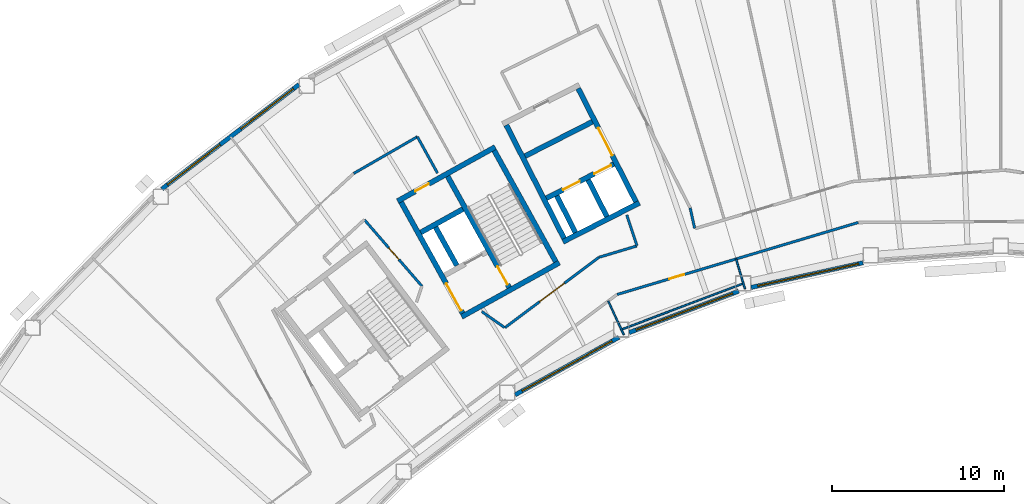
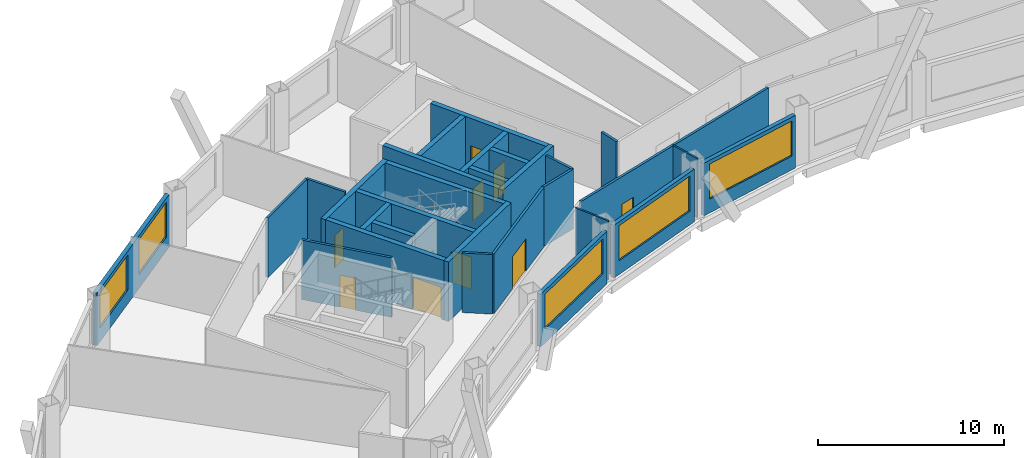
# One storey, part 6 of 13: 30 walls, 9 doors, 5 windows, 14 openings.
"""IFC4 building model written with IfcOpenShell, lengths in metres."""

from ifc_helpers import new_model, si_unit, direction, frame, frame_2d, origin, place, context, subcontext, project, spatial, rectangle, extrude, material, layer, layer_set, type_object, element, fill, save


model = new_model("IFC4")

# Units and contexts
model_context = context("Model", 3, precision=1e-05, world=origin(), true_north=direction((0.0, 1.0)))
body_context = subcontext(model_context, "Body", "Model", "MODEL_VIEW")
ifc_project = project(units=[si_unit("LENGTHUNIT", "METRE"), si_unit("AREAUNIT", "SQUARE_METRE"), si_unit("VOLUMEUNIT", "CUBIC_METRE"), si_unit("PLANEANGLEUNIT", "RADIAN"), si_unit("MASSUNIT", "GRAM", prefix="KILO")], contexts=[model_context])

# Site, building, storey
site_placement = place(None, origin())
site = spatial("IfcSite", under=ifc_project, at=site_placement, CompositionType="ELEMENT")
building_placement = place(site_placement, origin())
building = spatial("IfcBuilding", under=site, at=building_placement, Name="Tuul Gate Civic Tower", CompositionType="ELEMENT")
storey_placement = place(building_placement, frame((0.0, 0.0, 180.5)))
storey = spatial("IfcBuildingStorey", under=building, at=storey_placement, Name="Level 41", CompositionType="ELEMENT", Elevation=180.5)

# Walls
ifc_material_1 = material(Name="Concrete C50/60", Category="concrete")
ifc_layer_1 = layer(ifc_material_1, 0.300048828125)
ifc_layer_set_1 = layer_set([ifc_layer_1], Name="Concrete C50/60")
wall_type_1 = type_object("IfcWallType", Name="Core wall C50/60", PredefinedType="SHEAR", material=ifc_layer_set_1)
wall_1_placement = place(storey_placement, frame((-24.711669921875, -8.7158203125, 0.0), z_axis=(0.0, 0.0, 1.0), x_axis=(-0.874629909008, -0.484791215132, 0.0)))
element("IfcWall", 1, at=wall_1_placement, inside=storey, type_object=wall_type_1, Name="Core wall", PredefinedType="SHEAR", context=body_context, shape_type="SweptSolid", body=[
    extrude(rectangle(XDim=6.5, YDim=0.300048828125, at=frame_2d((3.25, 0.0))), origin(), (0.0, 0.0, 1.0), 3.89990234375),
])
wall_2_placement = place(storey_placement, frame((-30.327392578125, -5.59716796875, 0.0), z_axis=(0.0, 0.0, 1.0), x_axis=(-0.874629840737, -0.484791338301, 0.0)))
element("IfcWall", 2, at=wall_2_placement, inside=storey, type_object=wall_type_1, Name="Core wall", PredefinedType="SHEAR", context=body_context, shape_type="SweptSolid", body=[
    extrude(rectangle(XDim=2.800048828125, YDim=0.300048828125, at=frame_2d((1.39990234375, 0.0))), origin(), (0.0, 0.0, 1.0), 3.89990234375),
])

# Wall, opening, door
wall_3_placement = place(storey_placement, frame((-28.4443359375, -1.98095703125, 0.0), z_axis=(0.0, 0.0, 1.0), x_axis=(-0.874629909008, -0.484791215132, 0.0)))
wall_3 = element("IfcWall", 3, at=wall_3_placement, inside=storey, type_object=wall_type_1, Name="Core wall", PredefinedType="SHEAR", context=body_context, shape_type="SweptSolid", body=[
    extrude(rectangle(XDim=6.5, YDim=0.300048828125, at=frame_2d((3.25, 0.0))), origin(), (0.0, 0.0, 1.0), 3.89990234375),
])
opening_1_placement = place(wall_3_placement, frame((4.425048828125, 0.0, 0.0)))
opening_1 = element("IfcOpeningElement", 4, at=opening_1_placement, cuts=wall_3, Name="Opening O-D26", PredefinedType="OPENING", context=body_context, shape_type="SweptSolid", body=[
    extrude(rectangle(XDim=0.89990234375, YDim=2.10009765625, at=frame_2d((0.449951171875, 1.050048828125))), frame((0.0, 0.16015625, 0.0), z_axis=(0.0, -1.0, 0.0), x_axis=(1.0, 0.0, 0.0)), (0.0, 0.0, 1.0), 0.320068359375),
])
ifc_material_2 = material(Name="Timber door leaf", Category="wood")
door_type_1 = type_object("IfcDoorType", Name="Door D09", OperationType="NOTDEFINED", PredefinedType="DOOR", material=ifc_material_2)
door_1_placement = place(opening_1_placement, origin())
door_1 = element("IfcDoor", 5, at=door_1_placement, inside=storey, type_object=door_type_1, Name="Door O-D26", OperationType="SINGLE_SWING_LEFT", OverallHeight=2.10009765625, OverallWidth=0.89990234375, PredefinedType="DOOR", context=body_context, shape_type="SweptSolid", body=[
    extrude(rectangle(XDim=0.89990234375, YDim=2.10009765625, at=frame_2d((0.449951171875, 1.050048828125))), frame((0.0, 0.02490234375, 0.0), z_axis=(0.0, -1.0, 0.0), x_axis=(1.0, 0.0, 0.0)), (0.0, 0.0, 1.0), 0.050048828125),
])
fill(opening_1, door_1)

# Wall
wall_4_placement = place(storey_placement, frame((-24.91552734375, -8.6572265625, 0.0), z_axis=(0.0, 0.0, 1.0), x_axis=(-0.484777133038, 0.874637714304, 0.0)))
element("IfcWall", 6, at=wall_4_placement, inside=storey, type_object=wall_type_1, Name="Core wall", PredefinedType="SHEAR", context=body_context, shape_type="SweptSolid", body=[
    extrude(rectangle(XDim=7.400146484375, YDim=0.300048828125, at=frame_2d((3.7001953125, 0.0))), origin(), (0.0, 0.0, 1.0), 3.89990234375),
])

# Wall, opening, door
wall_5_placement = place(storey_placement, frame((-27.626953125, -10.16015625, 0.0), z_axis=(0.0, 0.0, 1.0), x_axis=(-0.484751894226, 0.874651702704, 0.0)))
wall_5 = element("IfcWall", 7, at=wall_5_placement, inside=storey, type_object=wall_type_1, Name="Core wall", PredefinedType="SHEAR", context=body_context, shape_type="SweptSolid", body=[
    extrude(rectangle(XDim=7.39990234375, YDim=0.300048828125, at=frame_2d((3.699951171875, 0.0))), origin(), (0.0, 0.0, 1.0), 3.89990234375),
])
opening_2_placement = place(wall_5_placement, frame((0.199951171875, 0.0, 0.0)))
opening_2 = element("IfcOpeningElement", 8, at=opening_2_placement, cuts=wall_5, Name="Opening SD-ST-2", PredefinedType="OPENING", context=body_context, shape_type="SweptSolid", body=[
    extrude(rectangle(XDim=1.199951171875, YDim=2.10009765625, at=frame_2d((0.60009765625, 1.050048828125))), frame((0.0, 0.16015625, 0.0), z_axis=(0.0, -1.0, 0.0), x_axis=(1.0, 0.0, 0.0)), (0.0, 0.0, 1.0), 0.320068359375),
])
ifc_material_3 = material(Name="Steel", Category="steel")
door_type_2 = type_object("IfcDoorType", Name="Stair door", OperationType="NOTDEFINED", PredefinedType="DOOR", material=ifc_material_3)
door_2_placement = place(opening_2_placement, origin())
door_2 = element("IfcDoor", 9, at=door_2_placement, inside=storey, type_object=door_type_2, Name="Stair door ST-2", OperationType="SINGLE_SWING_LEFT", OverallHeight=2.10009765625, OverallWidth=1.199951171875, PredefinedType="DOOR", context=body_context, shape_type="SweptSolid", body=[
    extrude(rectangle(XDim=1.199951171875, YDim=2.10009765625, at=frame_2d((0.60009765625, 1.050048828125))), frame((0.0, 0.02490234375, 0.0), z_axis=(0.0, -1.0, 0.0), x_axis=(1.0, 0.0, 0.0)), (0.0, 0.0, 1.0), 0.050048828125),
])
fill(opening_2, door_2)

# Wall
wall_6_placement = place(storey_placement, frame((-30.680419921875, -8.8798828125, 0.0), z_axis=(0.0, 0.0, 1.0), x_axis=(-0.484724115216, 0.874667097888, 0.0)))
element("IfcWall", 10, at=wall_6_placement, inside=storey, type_object=wall_type_1, Name="Core wall", PredefinedType="SHEAR", context=body_context, shape_type="SweptSolid", body=[
    extrude(rectangle(XDim=2.550048828125, YDim=0.300048828125, at=frame_2d((1.27490234375, 0.0))), origin(), (0.0, 0.0, 1.0), 3.89990234375),
])

# Wall, opening, door
wall_7_placement = place(storey_placement, frame((-30.33837890625, -11.6630859375, 0.0), z_axis=(0.0, 0.0, 1.0), x_axis=(-0.484751894226, 0.874651702704, 0.0)))
wall_7 = element("IfcWall", 11, at=wall_7_placement, inside=storey, type_object=wall_type_1, Name="Core wall", PredefinedType="SHEAR", context=body_context, shape_type="SweptSolid", body=[
    extrude(rectangle(XDim=7.39990234375, YDim=0.300048828125, at=frame_2d((3.699951171875, 0.0))), origin(), (0.0, 0.0, 1.0), 3.89990234375),
])
opening_3_placement = place(wall_7_placement, frame((0.175048828125, 0.0, 0.0)))
opening_3 = element("IfcOpeningElement", 12, at=opening_3_placement, cuts=wall_7, Name="Opening LB-W2-FLOBBY-1", PredefinedType="OPENING", context=body_context, shape_type="SweptSolid", body=[
    extrude(rectangle(XDim=1.800048828125, YDim=2.10009765625, at=frame_2d((0.89990234375, 1.050048828125))), frame((0.0, 0.16015625, 0.0), z_axis=(0.0, -1.0, 0.0), x_axis=(1.0, 0.0, 0.0)), (0.0, 0.0, 1.0), 0.320068359375),
])
ifc_material_4 = material(Name="Steel", Category="steel")
door_type_3 = type_object("IfcDoorType", Name="Lobby door", OperationType="DOUBLE_DOOR_SINGLE_SWING", PredefinedType="DOOR", material=ifc_material_4)
door_3_placement = place(opening_3_placement, frame((1.800048828125, 0.0, 0.0), z_axis=(0.0, 0.0, 1.0), x_axis=(-1.0, 0.0, 0.0)))
door_3 = element("IfcDoor", 13, at=door_3_placement, inside=storey, type_object=door_type_3, Name="Lobby door W2-FLOBBY", OperationType="DOUBLE_DOOR_SINGLE_SWING", OverallHeight=2.10009765625, OverallWidth=1.800048828125, PredefinedType="DOOR", context=body_context, shape_type="SweptSolid", body=[
    extrude(rectangle(XDim=1.800048828125, YDim=2.10009765625, at=frame_2d((0.900146484375, 1.050048828125))), frame((0.0, 0.02490234375, 0.0), z_axis=(0.0, -1.0, 0.0), x_axis=(1.0, 0.0, 0.0)), (0.0, 0.0, 1.0), 0.050048828125),
])
fill(opening_3, door_3)

# Walls
ifc_material_5 = material(Name="Gypsum board partition")
ifc_layer_2 = layer(ifc_material_5, 0.14990234375)
ifc_layer_set_2 = layer_set([ifc_layer_2], Name="Gypsum board partition")
wall_type_2 = type_object("IfcWallType", Name="Corridor wall P150", PredefinedType="PARTITIONING", material=ifc_layer_set_2)
wall_8_placement = place(storey_placement, frame((-22.3984375, -8.3994140625, 0.0), z_axis=(0.0, 0.0, 1.0), x_axis=(0.958110373466, 0.286399218323, 0.0)))
element("IfcWall", 14, at=wall_8_placement, inside=storey, type_object=wall_type_2, Name="p038", PredefinedType="PARTITIONING", context=body_context, shape_type="SweptSolid", body=[
    extrude(rectangle(XDim=2.29052734375, YDim=0.14990234375, at=frame_2d((1.145263671875, 0.0))), origin(), (0.0, 0.0, 1.0), 3.89990234375),
])
wall_9_placement = place(storey_placement, frame((-17.09326171875, -5.527099609375, 0.0), z_axis=(0.0, 0.0, 1.0), x_axis=(0.214248284718, -0.976779234267, 0.0)))
element("IfcWall", 15, at=wall_9_placement, inside=storey, type_object=wall_type_2, Name="p043", PredefinedType="PARTITIONING", context=body_context, shape_type="SweptSolid", body=[
    extrude(rectangle(XDim=1.21484375, YDim=0.14990234375, at=frame_2d((0.607421875, 0.0))), origin(), (0.0, 0.0, 1.0), 3.89990234375),
])
wall_10_placement = place(storey_placement, frame((-20.781005859375, -5.94189453125, 0.0), z_axis=(0.0, 0.0, 1.0), x_axis=(0.315405870294, -0.948956867821, 0.0)))
element("IfcWall", 16, at=wall_10_placement, inside=storey, type_object=wall_type_2, Name="p048", PredefinedType="PARTITIONING", context=body_context, shape_type="SweptSolid", body=[
    extrude(rectangle(XDim=1.87158203125, YDim=0.14990234375, at=frame_2d((0.935791015625, 0.0))), origin(), (0.0, 0.0, 1.0), 3.89990234375),
])

# Wall, opening, door
wall_11_placement = place(storey_placement, frame((-27.875, -12.496337890625, 0.0), z_axis=(0.0, 0.0, 1.0), x_axis=(0.800736165512, 0.599017189437, 0.0)))
wall_11 = element("IfcWall", 17, at=wall_11_placement, inside=storey, type_object=wall_type_2, Name="p051", PredefinedType="PARTITIONING", context=body_context, shape_type="SweptSolid", body=[
    extrude(rectangle(XDim=6.83935546875, YDim=0.14990234375, at=frame_2d((3.419677734375, 0.0))), origin(), (0.0, 0.0, 1.0), 3.89990234375),
])
opening_4_placement = place(wall_11_placement, frame((2.519775390625, 0.0, 0.0)))
opening_4 = element("IfcOpeningElement", 18, at=opening_4_placement, cuts=wall_11, Name="Opening O-D15", PredefinedType="OPENING", context=body_context, shape_type="SweptSolid", body=[
    extrude(rectangle(XDim=1.800048828125, YDim=2.10009765625, at=frame_2d((0.89990234375, 1.050048828125))), frame((0.0, 0.0849609375, 0.0), z_axis=(0.0, -1.0, 0.0), x_axis=(1.0, 0.0, 0.0)), (0.0, 0.0, 1.0), 0.169921875),
])
ifc_material_6 = material(Name="Timber door leaf, double", Category="wood")
door_type_4 = type_object("IfcDoorType", Name="Door D18", OperationType="DOUBLE_DOOR_SINGLE_SWING", PredefinedType="DOOR", material=ifc_material_6)
door_4_placement = place(opening_4_placement, origin())
door_4 = element("IfcDoor", 19, at=door_4_placement, inside=storey, type_object=door_type_4, Name="Door O-D15", OperationType="DOUBLE_DOOR_SINGLE_SWING", OverallHeight=2.10009765625, OverallWidth=1.800048828125, PredefinedType="DOOR", context=body_context, shape_type="SweptSolid", body=[
    extrude(rectangle(XDim=1.800048828125, YDim=2.10009765625, at=frame_2d((0.89990234375, 1.050048828125))), frame((0.0, 0.02490234375, 0.0), z_axis=(0.0, -1.0, 0.0), x_axis=(1.0, 0.0, 0.0)), (0.0, 0.0, 1.0), 0.050048828125),
])
fill(opening_4, door_4)

# Walls
wall_12_placement = place(storey_placement, frame((-29.22509765625, -11.560302734375, 0.0), z_axis=(0.0, 0.0, 1.0), x_axis=(0.818164960275, -0.57498356305, 0.0)))
element("IfcWall", 20, at=wall_12_placement, inside=storey, type_object=wall_type_2, Name="p052", PredefinedType="PARTITIONING", context=body_context, shape_type="SweptSolid", body=[
    extrude(rectangle(XDim=1.62548828125, YDim=0.14990234375, at=frame_2d((0.812744140625, 0.0))), origin(), (0.0, 0.0, 1.0), 3.89990234375),
])
wall_13_placement = place(storey_placement, frame((-32.97705078125, -1.38330078125, 0.0), z_axis=(0.0, 0.0, 1.0), x_axis=(0.484666108147, -0.874699241805, 0.0)))
element("IfcWall", 21, at=wall_13_placement, inside=storey, type_object=wall_type_2, Name="p054", PredefinedType="PARTITIONING", context=body_context, shape_type="SweptSolid", body=[
    extrude(rectangle(XDim=2.419921875, YDim=0.14990234375, at=frame_2d((1.2099609375, 0.0))), origin(), (0.0, 0.0, 1.0), 3.89990234375),
])
wall_14_placement = place(storey_placement, frame((-36.682861328125, -3.5205078125, 0.0), z_axis=(0.0, 0.0, 1.0), x_axis=(0.866195088107, 0.499705982893, 0.0)))
element("IfcWall", 22, at=wall_14_placement, inside=storey, type_object=wall_type_2, Name="p055", PredefinedType="PARTITIONING", context=body_context, shape_type="SweptSolid", body=[
    extrude(rectangle(XDim=4.27734375, YDim=0.14990234375, at=frame_2d((2.138671875, 0.0))), origin(), (0.0, 0.0, 1.0), 3.89990234375),
])

# Wall, opening, door
wall_15_placement = place(storey_placement, frame((-21.347900390625, -10.5673828125, 0.0), z_axis=(0.0, 0.0, 1.0), x_axis=(0.958201559869, 0.286093989214, 0.0)))
wall_15 = element("IfcWall", 23, at=wall_15_placement, inside=storey, type_object=wall_type_2, Name="p062", PredefinedType="PARTITIONING", context=body_context, shape_type="SweptSolid", body=[
    extrude(rectangle(XDim=14.650390625, YDim=0.14990234375, at=frame_2d((7.3251953125, 0.0))), origin(), (0.0, 0.0, 1.0), 3.89990234375),
])
opening_5_placement = place(wall_15_placement, frame((3.165283203125, 0.0, 0.0)))
opening_5 = element("IfcOpeningElement", 24, at=opening_5_placement, cuts=wall_15, Name="Opening O-D20", PredefinedType="OPENING", context=body_context, shape_type="SweptSolid", body=[
    extrude(rectangle(XDim=0.89990234375, YDim=2.10009765625, at=frame_2d((0.449951171875, 1.050048828125))), frame((0.0, 0.0849609375, 0.0), z_axis=(0.0, -1.0, 0.0), x_axis=(1.0, 0.0, 0.0)), (0.0, 0.0, 1.0), 0.169921875),
])
door_5_placement = place(opening_5_placement, frame((0.89990234375, 0.0, 0.0), z_axis=(0.0, 0.0, 1.0), x_axis=(-1.0, 0.0, 0.0)))
door_5 = element("IfcDoor", 25, at=door_5_placement, inside=storey, type_object=door_type_1, Name="Door O-D20", OperationType="SINGLE_SWING_LEFT", OverallHeight=2.10009765625, OverallWidth=0.89990234375, PredefinedType="DOOR", context=body_context, shape_type="SweptSolid", body=[
    extrude(rectangle(XDim=0.89990234375, YDim=2.10009765625, at=frame_2d((0.449951171875, 1.050048828125))), frame((0.0, 0.02490234375, 0.0), z_axis=(0.0, -1.0, 0.0), x_axis=(1.0, 0.0, 0.0)), (0.0, 0.0, 1.0), 0.050048828125),
])
fill(opening_5, door_5)

wall_16_placement = place(storey_placement, frame((-36.064208984375, -6.21044921875, 0.0), z_axis=(0.0, 0.0, 1.0), x_axis=(0.654790642305, -0.755810303416, 0.0)))
wall_16 = element("IfcWall", 26, at=wall_16_placement, inside=storey, type_object=wall_type_2, Name="p067", PredefinedType="PARTITIONING", context=body_context, shape_type="SweptSolid", body=[
    extrude(rectangle(XDim=5.1162109375, YDim=0.14990234375, at=frame_2d((2.55810546875, 0.0))), origin(), (0.0, 0.0, 1.0), 3.89990234375),
])
opening_6_placement = place(wall_16_placement, frame((2.1748046875, 0.0, 0.0)))
opening_6 = element("IfcOpeningElement", 27, at=opening_6_placement, cuts=wall_16, Name="Opening O-D22", PredefinedType="OPENING", context=body_context, shape_type="SweptSolid", body=[
    extrude(rectangle(XDim=0.89990234375, YDim=2.10009765625, at=frame_2d((0.449951171875, 1.050048828125))), frame((0.0, 0.0849609375, 0.0), z_axis=(0.0, -1.0, 0.0), x_axis=(1.0, 0.0, 0.0)), (0.0, 0.0, 1.0), 0.169921875),
])
door_6_placement = place(opening_6_placement, origin())
door_6 = element("IfcDoor", 28, at=door_6_placement, inside=storey, type_object=door_type_1, Name="Door O-D22", OperationType="SINGLE_SWING_RIGHT", OverallHeight=2.10009765625, OverallWidth=0.89990234375, PredefinedType="DOOR", context=body_context, shape_type="SweptSolid", body=[
    extrude(rectangle(XDim=0.89990234375, YDim=2.10009765625, at=frame_2d((0.449951171875, 1.050048828125))), frame((0.0, 0.02490234375, 0.0), z_axis=(0.0, -1.0, 0.0), x_axis=(1.0, 0.0, 0.0)), (0.0, 0.0, 1.0), 0.050048828125),
])
fill(opening_6, door_6)

# Wall, openings, windows
ifc_material_7 = material(Name="Precast concrete C40/50", Category="concrete")
ifc_layer_3 = layer(ifc_material_7, 0.25)
ifc_layer_set_3 = layer_set([ifc_layer_3], Name="Precast concrete C40/50")
wall_type_3 = type_object("IfcWallType", Name="External wall", PredefinedType="STANDARD", material=ifc_layer_set_3)
wall_17_placement = place(storey_placement, frame((-39.862060546875, 1.659423828125, 0.0), z_axis=(0.0, 0.0, 1.0), x_axis=(-0.795600211162, -0.605822006862, 0.0)))
wall_17 = element("IfcWall", 29, at=wall_17_placement, inside=storey, type_object=wall_type_3, Name="External wall", PredefinedType="STANDARD", context=body_context, shape_type="SweptSolid", body=[
    extrude(rectangle(XDim=10.043212890625, YDim=0.25, at=frame_2d((5.021484375, 0.0))), origin(), (0.0, 0.0, 1.0), 3.449951171875),
])
opening_7_placement = place(wall_17_placement, frame((0.410400390625, 0.0, 0.89990234375)))
opening_7 = element("IfcOpeningElement", 30, at=opening_7_placement, cuts=wall_17, Name="Opening W22", PredefinedType="OPENING", context=body_context, shape_type="SweptSolid", body=[
    extrude(rectangle(XDim=3.85009765625, YDim=2.300048828125, at=frame_2d((1.925048828125, 1.14990234375))), frame((0.0, 0.135009765625, 0.0), z_axis=(0.0, -1.0, 0.0), x_axis=(1.0, 0.0, 0.0)), (0.0, 0.0, 1.0), 0.27001953125),
])
opening_8_placement = place(wall_17_placement, frame((5.78173828125, 0.0, 0.89990234375)))
opening_8 = element("IfcOpeningElement", 31, at=opening_8_placement, cuts=wall_17, Name="Opening W22", PredefinedType="OPENING", context=body_context, shape_type="SweptSolid", body=[
    extrude(rectangle(XDim=3.85009765625, YDim=2.300048828125, at=frame_2d((1.925048828125, 1.14990234375))), frame((0.0, 0.135009765625, 0.0), z_axis=(0.0, -1.0, 0.0), x_axis=(1.0, 0.0, 0.0)), (0.0, 0.0, 1.0), 0.27001953125),
])
ifc_material_8 = material(Name="Glass", Category="glass")
window_type_1 = type_object("IfcWindowType", Name="Window W22 3850 x 2300", PartitioningType="SINGLE_PANEL", PredefinedType="WINDOW", material=ifc_material_8)
window_1_placement = place(opening_7_placement, origin())
window_1 = element("IfcWindow", 32, at=window_1_placement, inside=storey, type_object=window_type_1, Name="Window", OverallHeight=2.300048828125, OverallWidth=3.85009765625, PartitioningType="SINGLE_PANEL", PredefinedType="WINDOW", context=body_context, shape_type="SweptSolid", body=[
    extrude(rectangle(XDim=3.85009765625, YDim=2.300048828125, at=frame_2d((1.925048828125, 1.14990234375))), frame((0.0, 0.030029296875, 0.0), z_axis=(0.0, -1.0, 0.0), x_axis=(1.0, 0.0, 0.0)), (0.0, 0.0, 1.0), 0.06005859375),
])
fill(opening_7, window_1)
window_2_placement = place(opening_8_placement, origin())
window_2 = element("IfcWindow", 33, at=window_2_placement, inside=storey, type_object=window_type_1, Name="Window", OverallHeight=2.300048828125, OverallWidth=3.85009765625, PartitioningType="SINGLE_PANEL", PredefinedType="WINDOW", context=body_context, shape_type="SweptSolid", body=[
    extrude(rectangle(XDim=3.85009765625, YDim=2.300048828125, at=frame_2d((1.925048828125, 1.14990234375))), frame((0.0, 0.030029296875, 0.0), z_axis=(0.0, -1.0, 0.0), x_axis=(1.0, 0.0, 0.0)), (0.0, 0.0, 1.0), 0.06005859375),
])
fill(opening_8, window_2)

# Wall, opening, window
wall_18_placement = place(storey_placement, frame((-27.287109375, -16.41064453125, 0.0), z_axis=(0.0, 0.0, 1.0), x_axis=(0.874626480016, 0.484797401452, 0.0)))
wall_18 = element("IfcWall", 34, at=wall_18_placement, inside=storey, type_object=wall_type_3, Name="External wall", PredefinedType="STANDARD", context=body_context, shape_type="SweptSolid", body=[
    extrude(rectangle(XDim=6.915283203125, YDim=0.25, at=frame_2d((3.45751953125, 0.0))), origin(), (0.0, 0.0, 1.0), 3.449951171875),
])
opening_9_placement = place(wall_18_placement, frame((0.4619140625, 0.0, 0.89990234375)))
opening_9 = element("IfcOpeningElement", 35, at=opening_9_placement, cuts=wall_18, Name="Opening W26", PredefinedType="OPENING", context=body_context, shape_type="SweptSolid", body=[
    extrude(rectangle(XDim=6.0, YDim=2.300048828125, at=frame_2d((3.0, 1.14990234375))), frame((0.0, 0.135009765625, 0.0), z_axis=(0.0, -1.0, 0.0), x_axis=(1.0, 0.0, 0.0)), (0.0, 0.0, 1.0), 0.27001953125),
])
ifc_material_9 = material(Name="Glass", Category="glass")
window_type_2 = type_object("IfcWindowType", Name="Window W26 6000 x 2300", PartitioningType="SINGLE_PANEL", PredefinedType="WINDOW", material=ifc_material_9)
window_3_placement = place(opening_9_placement, origin())
window_3 = element("IfcWindow", 36, at=window_3_placement, inside=storey, type_object=window_type_2, Name="Window", OverallHeight=2.300048828125, OverallWidth=6.0, PartitioningType="SINGLE_PANEL", PredefinedType="WINDOW", context=body_context, shape_type="SweptSolid", body=[
    extrude(rectangle(XDim=6.0, YDim=2.300048828125, at=frame_2d((3.0, 1.14990234375))), frame((0.0, 0.030029296875, 0.0), z_axis=(0.0, -1.0, 0.0), x_axis=(1.0, 0.0, 0.0)), (0.0, 0.0, 1.0), 0.06005859375),
])
fill(opening_9, window_3)

wall_19_placement = place(storey_placement, frame((-20.64697265625, -12.78515625, 0.0), z_axis=(0.0, 0.0, 1.0), x_axis=(0.935360534404, 0.353695731779, 0.0)))
wall_19 = element("IfcWall", 37, at=wall_19_placement, inside=storey, type_object=wall_type_3, Name="External wall", PredefinedType="STANDARD", context=body_context, shape_type="SweptSolid", body=[
    extrude(rectangle(XDim=6.81982421875, YDim=0.25, at=frame_2d((3.409912109375, 0.0))), origin(), (0.0, 0.0, 1.0), 3.449951171875),
])
opening_10_placement = place(wall_19_placement, frame((0.43798828125, 0.0, 0.89990234375)))
opening_10 = element("IfcOpeningElement", 38, at=opening_10_placement, cuts=wall_19, Name="Opening W26", PredefinedType="OPENING", context=body_context, shape_type="SweptSolid", body=[
    extrude(rectangle(XDim=6.0, YDim=2.300048828125, at=frame_2d((3.0, 1.14990234375))), frame((0.0, 0.135009765625, 0.0), z_axis=(0.0, -1.0, 0.0), x_axis=(1.0, 0.0, 0.0)), (0.0, 0.0, 1.0), 0.27001953125),
])
window_4_placement = place(opening_10_placement, origin())
window_4 = element("IfcWindow", 39, at=window_4_placement, inside=storey, type_object=window_type_2, Name="Window", OverallHeight=2.300048828125, OverallWidth=6.0, PartitioningType="SINGLE_PANEL", PredefinedType="WINDOW", context=body_context, shape_type="SweptSolid", body=[
    extrude(rectangle(XDim=6.0, YDim=2.300048828125, at=frame_2d((3.0, 1.14990234375))), frame((0.0, 0.030029296875, 0.0), z_axis=(0.0, -1.0, 0.0), x_axis=(1.0, 0.0, 0.0)), (0.0, 0.0, 1.0), 0.06005859375),
])
fill(opening_10, window_4)

wall_20_placement = place(storey_placement, frame((-13.5458984375, -10.15625, 0.0), z_axis=(0.0, 0.0, 1.0), x_axis=(0.976558520258, 0.21525207667, 0.0)))
wall_20 = element("IfcWall", 40, at=wall_20_placement, inside=storey, type_object=wall_type_3, Name="External wall", PredefinedType="STANDARD", context=body_context, shape_type="SweptSolid", body=[
    extrude(rectangle(XDim=6.670166015625, YDim=0.25, at=frame_2d((3.3349609375, 0.0))), origin(), (0.0, 0.0, 1.0), 3.449951171875),
])
opening_11_placement = place(wall_20_placement, frame((0.406982421875, 0.0, 0.89990234375)))
opening_11 = element("IfcOpeningElement", 41, at=opening_11_placement, cuts=wall_20, Name="Opening W26", PredefinedType="OPENING", context=body_context, shape_type="SweptSolid", body=[
    extrude(rectangle(XDim=6.0, YDim=2.300048828125, at=frame_2d((3.0, 1.14990234375))), frame((0.0, 0.135009765625, 0.0), z_axis=(0.0, -1.0, 0.0), x_axis=(1.0, 0.0, 0.0)), (0.0, 0.0, 1.0), 0.27001953125),
])
window_5_placement = place(opening_11_placement, origin())
window_5 = element("IfcWindow", 42, at=window_5_placement, inside=storey, type_object=window_type_2, Name="Window", OverallHeight=2.300048828125, OverallWidth=6.0, PartitioningType="SINGLE_PANEL", PredefinedType="WINDOW", context=body_context, shape_type="SweptSolid", body=[
    extrude(rectangle(XDim=6.0, YDim=2.300048828125, at=frame_2d((3.0, 1.14990234375))), frame((0.0, 0.030029296875, 0.0), z_axis=(0.0, -1.0, 0.0), x_axis=(1.0, 0.0, 0.0)), (0.0, 0.0, 1.0), 0.06005859375),
])
fill(opening_11, window_5)

# Wall
ifc_material_10 = material(Name="Concrete C40/50", Category="concrete")
ifc_layer_4 = layer(ifc_material_10, 0.300048828125)
ifc_layer_set_4 = layer_set([ifc_layer_4], Name="Concrete C40/50")
wall_type_4 = type_object("IfcWallType", Name="Lift shaft wall C40/50", PredefinedType="STANDARD", material=ifc_layer_set_4)
wall_21_placement = place(storey_placement, frame((-20.049072265625, -5.232421875, 0.0), z_axis=(0.0, 0.0, 1.0), x_axis=(-0.891002976909, -0.453997461601, 0.0)))
element("IfcWall", 43, at=wall_21_placement, inside=storey, type_object=wall_type_4, Name="Shaft wall", PredefinedType="STANDARD", context=body_context, shape_type="SweptSolid", body=[
    extrude(rectangle(XDim=5.0, YDim=0.300048828125, at=frame_2d((2.5, 0.0))), origin(), (0.0, 0.0, 1.0), 3.89990234375),
])

# Wall, openings, doors
wall_22_placement = place(storey_placement, frame((-21.542236328125, -2.962890625, 0.0), z_axis=(0.0, 0.0, 1.0), x_axis=(-0.891005618941, -0.453992276384, 0.0)))
wall_22 = element("IfcWall", 44, at=wall_22_placement, inside=storey, type_object=wall_type_4, Name="Shaft wall", PredefinedType="STANDARD", context=body_context, shape_type="SweptSolid", body=[
    extrude(rectangle(XDim=4.39990234375, YDim=0.300048828125, at=frame_2d((2.199951171875, 0.0))), origin(), (0.0, 0.0, 1.0), 3.89990234375),
])
opening_12_placement = place(wall_22_placement, frame((0.175048828125, 0.0, 0.0)))
opening_12 = element("IfcOpeningElement", 45, at=opening_12_placement, cuts=wall_22, Name="Opening LD-M1", PredefinedType="OPENING", context=body_context, shape_type="SweptSolid", body=[
    extrude(rectangle(XDim=1.10009765625, YDim=2.10009765625, at=frame_2d((0.550048828125, 1.050048828125))), frame((0.0, 0.16015625, 0.0), z_axis=(0.0, -1.0, 0.0), x_axis=(1.0, 0.0, 0.0)), (0.0, 0.0, 1.0), 0.320068359375),
])
opening_13_placement = place(wall_22_placement, frame((2.22509765625, 0.0, 0.0)))
opening_13 = element("IfcOpeningElement", 46, at=opening_13_placement, cuts=wall_22, Name="Opening LD-M2", PredefinedType="OPENING", context=body_context, shape_type="SweptSolid", body=[
    extrude(rectangle(XDim=1.10009765625, YDim=2.10009765625, at=frame_2d((0.550048828125, 1.050048828125))), frame((0.0, 0.16015625, 0.0), z_axis=(0.0, -1.0, 0.0), x_axis=(1.0, 0.0, 0.0)), (0.0, 0.0, 1.0), 0.320068359375),
])
ifc_material_11 = material(Name="Stainless steel", Category="steel")
door_type_5 = type_object("IfcDoorType", Name="Landing door", OperationType="DOUBLE_DOOR_SLIDING", PredefinedType="DOOR", material=ifc_material_11)
door_7_placement = place(opening_12_placement, origin())
door_7 = element("IfcDoor", 47, at=door_7_placement, inside=storey, type_object=door_type_5, Name="Mid-rise lift M1 landing door", OperationType="DOUBLE_DOOR_SLIDING", OverallHeight=2.10009765625, OverallWidth=1.10009765625, PredefinedType="DOOR", context=body_context, shape_type="SweptSolid", body=[
    extrude(rectangle(XDim=1.10009765625, YDim=2.10009765625, at=frame_2d((0.550048828125, 1.050048828125))), frame((0.0, 0.02490234375, 0.0), z_axis=(0.0, -1.0, 0.0), x_axis=(1.0, 0.0, 0.0)), (0.0, 0.0, 1.0), 0.050048828125),
])
fill(opening_12, door_7)
door_8_placement = place(opening_13_placement, origin())
door_8 = element("IfcDoor", 48, at=door_8_placement, inside=storey, type_object=door_type_5, Name="Mid-rise lift M2 landing door", OperationType="DOUBLE_DOOR_SLIDING", OverallHeight=2.10009765625, OverallWidth=1.10009765625, PredefinedType="DOOR", context=body_context, shape_type="SweptSolid", body=[
    extrude(rectangle(XDim=1.10009765625, YDim=2.10009765625, at=frame_2d((0.550048828125, 1.050048828125))), frame((0.0, 0.02490234375, 0.0), z_axis=(0.0, -1.0, 0.0), x_axis=(1.0, 0.0, 0.0)), (0.0, 0.0, 1.0), 0.050048828125),
])
fill(opening_13, door_8)

# Wall
wall_23_placement = place(storey_placement, frame((-22.790771484375, -0.5126953125, 0.0), z_axis=(0.0, 0.0, 1.0), x_axis=(-0.891005618941, -0.453992276384, 0.0)))
element("IfcWall", 49, at=wall_23_placement, inside=storey, type_object=wall_type_4, Name="Shaft wall", PredefinedType="STANDARD", context=body_context, shape_type="SweptSolid", body=[
    extrude(rectangle(XDim=4.39990234375, YDim=0.300048828125, at=frame_2d((2.199951171875, 0.0))), origin(), (0.0, 0.0, 1.0), 3.89990234375),
])

# Wall, opening, door
wall_24_placement = place(storey_placement, frame((-20.2509765625, -5.166748046875, 0.0), z_axis=(0.0, 0.0, 1.0), x_axis=(-0.45401029361, 0.89099643843, 0.0)))
wall_24 = element("IfcWall", 50, at=wall_24_placement, inside=storey, type_object=wall_type_4, Name="Shaft wall", PredefinedType="STANDARD", context=body_context, shape_type="SweptSolid", body=[
    extrude(rectangle(XDim=7.39990234375, YDim=0.300048828125, at=frame_2d((3.699951171875, 0.0))), origin(), (0.0, 0.0, 1.0), 3.89990234375),
])
opening_14_placement = place(wall_24_placement, frame((3.02490234375, 0.0, 0.0)))
opening_14 = element("IfcOpeningElement", 51, at=opening_14_placement, cuts=wall_24, Name="Opening LB-W3-LOBBY-1", PredefinedType="OPENING", context=body_context, shape_type="SweptSolid", body=[
    extrude(rectangle(XDim=1.800048828125, YDim=2.10009765625, at=frame_2d((0.89990234375, 1.050048828125))), frame((0.0, 0.16015625, 0.0), z_axis=(0.0, -1.0, 0.0), x_axis=(1.0, 0.0, 0.0)), (0.0, 0.0, 1.0), 0.320068359375),
])
door_9_placement = place(opening_14_placement, origin())
door_9 = element("IfcDoor", 52, at=door_9_placement, inside=storey, type_object=door_type_3, Name="Lobby door W3-LOBBY", OperationType="DOUBLE_DOOR_SINGLE_SWING", OverallHeight=2.10009765625, OverallWidth=1.800048828125, PredefinedType="DOOR", context=body_context, shape_type="SweptSolid", body=[
    extrude(rectangle(XDim=1.800048828125, YDim=2.10009765625, at=frame_2d((0.89990234375, 1.050048828125))), frame((0.0, 0.02490234375, 0.0), z_axis=(0.0, -1.0, 0.0), x_axis=(1.0, 0.0, 0.0)), (0.0, 0.0, 1.0), 0.050048828125),
])
fill(opening_14, door_9)

# Walls
for number, where, z_axis, x_axis, name in (
    (53, (-21.94384765625, -6.029296875, 0.0), (0.0, 0.0, 1.0), (-0.45403702923, 0.890982814698, 0.0), "Shaft wall"),
    (54, (-23.770263671875, -6.960205078125, 0.0), (0.0, 0.0, 1.0), (-0.45399587725, 0.891003784189, 0.0), "Shaft wall"),
):
    element("IfcWall", number, at=place(storey_placement, frame(where, z_axis=z_axis, x_axis=x_axis)), inside=storey, type_object=wall_type_4, Name=name, PredefinedType="STANDARD", context=body_context, shape_type="SweptSolid", body=[
        extrude(rectangle(XDim=2.39990234375, YDim=0.300048828125, at=frame_2d((1.199951171875, 0.0))), origin(), (0.0, 0.0, 1.0), 3.89990234375),
    ])
wall_25_placement = place(storey_placement, frame((-24.438720703125, -7.300537109375, 0.0), z_axis=(0.0, 0.0, 1.0), x_axis=(-0.453984101083, 0.891009784438, 0.0)))
element("IfcWall", 55, at=wall_25_placement, inside=storey, type_object=wall_type_4, Name="Shaft wall", PredefinedType="STANDARD", context=body_context, shape_type="SweptSolid", body=[
    extrude(rectangle(XDim=7.399658203125, YDim=0.300048828125, at=frame_2d((3.69970703125, 0.0))), origin(), (0.0, 0.0, 1.0), 3.89990234375),
])
ifc_material_12 = material(Name="Gypsum board partition")
ifc_layer_5 = layer(ifc_material_12, 0.10009765625)
ifc_layer_set_5 = layer_set([ifc_layer_5], Name="Gypsum board partition")
wall_type_5 = type_object("IfcWallType", Name="Partition P100", PredefinedType="PARTITIONING", material=ifc_layer_set_5)
wall_26_placement = place(storey_placement, frame((-14.41943359375, -8.498779296875, 0.0), z_axis=(0.0, 0.0, 1.0), x_axis=(0.285213907316, -0.95846388929, 0.0)))
element("IfcWall", 56, at=wall_26_placement, inside=storey, type_object=wall_type_5, Name="p041", PredefinedType="PARTITIONING", context=body_context, shape_type="SweptSolid", body=[
    extrude(rectangle(XDim=1.81640625, YDim=0.10009765625, at=frame_2d((0.908203125, 0.0))), origin(), (0.0, 0.0, 1.0), 3.89990234375),
])
wall_27_placement = place(storey_placement, frame((-21.86376953125, -10.9521484375, 0.0), z_axis=(0.0, 0.0, 1.0), x_axis=(0.420329105356, -0.907371722719, 0.0)))
element("IfcWall", 57, at=wall_27_placement, inside=storey, type_object=wall_type_5, Name="p066", PredefinedType="PARTITIONING", context=body_context, shape_type="SweptSolid", body=[
    extrude(rectangle(XDim=2.155517578125, YDim=0.10009765625, at=frame_2d((1.07763671875, 0.0))), origin(), (0.0, 0.0, 1.0), 3.89990234375),
])
ifc_material_13 = material(Name="Gypsum board partition")
ifc_layer_6 = layer(ifc_material_13, 0.10009765625)
ifc_layer_set_6 = layer_set([ifc_layer_6], Name="Gypsum board partition")
wall_type_6 = type_object("IfcWallType", Name="Partition P100 3000 HIGH", PredefinedType="PARTITIONING", material=ifc_layer_set_6)
wall_28_placement = place(storey_placement, frame((-13.995849609375, -9.922607421875, 0.0), z_axis=(0.0, 0.0, 1.0), x_axis=(-0.935362186019, -0.353691363996, 0.0)))
element("IfcWall", 58, at=wall_28_placement, inside=storey, type_object=wall_type_6, Name="p075", PredefinedType="PARTITIONING", context=body_context, shape_type="SweptSolid", body=[
    extrude(rectangle(XDim=7.591552734375, YDim=0.10009765625, at=frame_2d((3.7958984375, 0.0))), origin(), (0.0, 0.0, 1.0), 3.0),
])

save(model, "model.ifc")
